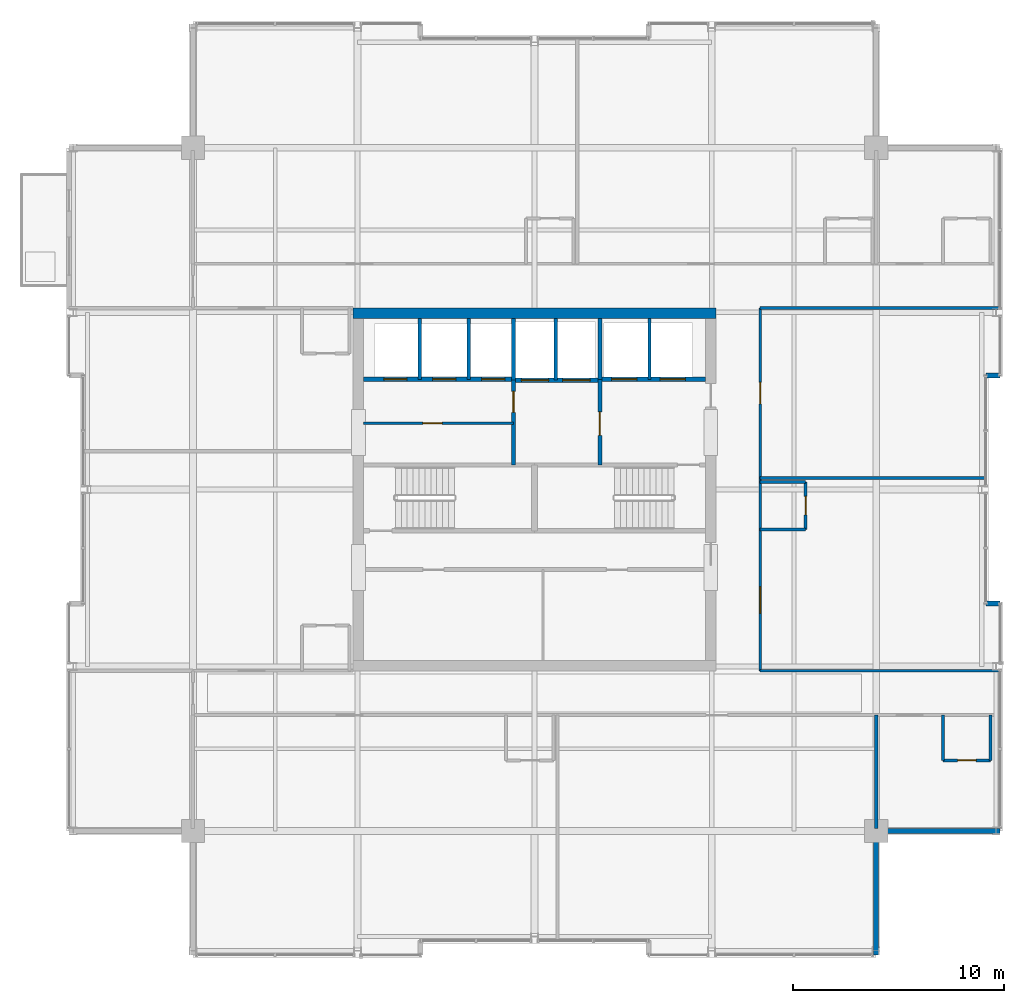
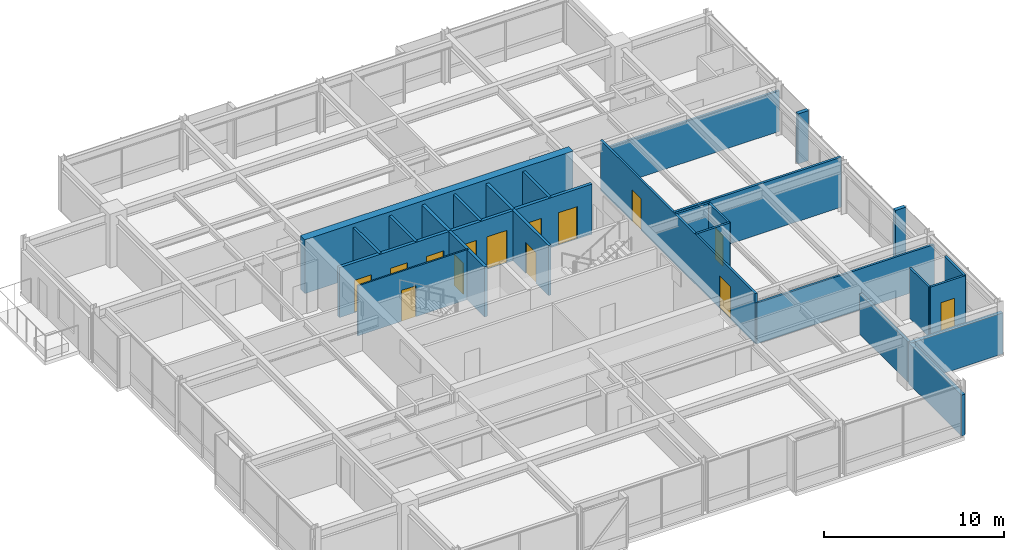
# One storey, part 29 of 33: 28 walls, 14 doors, 14 openings.
"""IFC4 building model written with IfcOpenShell, lengths in metres."""

from ifc_helpers import new_model, si_unit, direction, frame, frame_2d, origin, place, context, subcontext, project, spatial, rectangle, extrude, material, layer, layer_set, type_object, element, fill, save


model = new_model("IFC4")

# Units and contexts
model_context = context("Model", 3, precision=1e-05, world=origin(), true_north=direction((0.0, 1.0)))
body_context = subcontext(model_context, "Body", "Model", "MODEL_VIEW")
ifc_project = project(units=[si_unit("LENGTHUNIT", "METRE"), si_unit("AREAUNIT", "SQUARE_METRE"), si_unit("VOLUMEUNIT", "CUBIC_METRE"), si_unit("PLANEANGLEUNIT", "RADIAN"), si_unit("MASSUNIT", "GRAM", prefix="KILO")], contexts=[model_context])

# Site, building, storey
site_placement = place(None, origin())
site = spatial("IfcSite", under=ifc_project, at=site_placement, CompositionType="ELEMENT")
building_placement = place(site_placement, origin())
building = spatial("IfcBuilding", under=site, at=building_placement, Name="Drelvath Grand Hotel", CompositionType="ELEMENT")
storey_placement = place(building_placement, frame((0.0, 0.0, 283.25)))
storey = spatial("IfcBuildingStorey", under=building, at=storey_placement, Name="L74", CompositionType="ELEMENT", Elevation=283.25)

# Wall, opening, door
ifc_material_1 = material(Name="Gypsum Partition Board")
ifc_layer_1 = layer(ifc_material_1, 0.10009765625)
ifc_layer_set_1 = layer_set([ifc_layer_1], Name="Gypsum Partition Board")
wall_type_1 = type_object("IfcWallType", Name="Core Closet Partition 100", PredefinedType="PARTITIONING", material=ifc_layer_set_1)
wall_1_placement = place(storey_placement, frame((-8.10009765625, 30.139892578125, 0.0), z_axis=(0.0, 0.0, 1.0), x_axis=(1.0, 0.0, 0.0)))
wall_1 = element("IfcWall", 1, at=wall_1_placement, inside=storey, type_object=wall_type_1, Name="L74 High-Rise Lobby Closet Wall", PredefinedType="PARTITIONING", context=body_context, shape_type="SweptSolid", body=[
    extrude(rectangle(XDim=7.10009765625, YDim=0.10009765625, at=frame_2d((3.550048828125, 0.0))), origin(), (0.0, 0.0, 1.0), 3.389892578125),
])
opening_1_placement = place(wall_1_placement, frame((2.800048828125, 0.0, 0.0)))
opening_1 = element("IfcOpeningElement", 2, at=opening_1_placement, cuts=wall_1, Name="Opening D-T5G2-013", PredefinedType="OPENING", context=body_context, shape_type="SweptSolid", body=[
    extrude(rectangle(XDim=0.919921875, YDim=2.10009765625, at=frame_2d((0.4599609375, 1.050048828125))), frame((0.0, 0.06005859375, 0.0), z_axis=(0.0, -1.0, 0.0), x_axis=(1.0, 0.0, 0.0)), (0.0, 0.0, 1.0), 0.1201171875),
])
ifc_material_2 = material(Name="Painted Steel S275", Category="steel")
door_type_1 = type_object("IfcDoorType", Name="Staff Utility Door 920x2100", OperationType="NOTDEFINED", PredefinedType="DOOR", material=ifc_material_2)
door_1_placement = place(opening_1_placement, origin())
door_1 = element("IfcDoor", 3, at=door_1_placement, inside=storey, type_object=door_type_1, Name="L74 Core Telecom Door", OperationType="SINGLE_SWING_RIGHT", OverallHeight=2.10009765625, OverallWidth=0.919921875, PredefinedType="DOOR", context=body_context, shape_type="SweptSolid", body=[
    extrude(rectangle(XDim=0.919921875, YDim=2.10009765625, at=frame_2d((0.4599609375, 1.050048828125))), frame((0.0, 0.02490234375, 0.0), z_axis=(0.0, -1.0, 0.0), x_axis=(1.0, 0.0, 0.0)), (0.0, 0.0, 1.0), 0.050048828125),
])
fill(opening_1, door_1)

# Wall, openings, doors
ifc_material_3 = material(Name="Concrete C40/50", Category="concrete")
ifc_layer_2 = layer(ifc_material_3, 0.199951171875)
ifc_layer_set_2 = layer_set([ifc_layer_2], Name="Concrete C40/50")
wall_type_2 = type_object("IfcWallType", Name="Core Hoistway Fire Wall 200", PredefinedType="SOLIDWALL", material=ifc_layer_set_2)
wall_2_placement = place(storey_placement, frame((3.10009765625, 32.219970703125, 0.0), z_axis=(0.0, 0.0, 1.0), x_axis=(1.0, 0.0, 0.0)))
wall_2 = element("IfcWall", 4, at=wall_2_placement, inside=storey, type_object=wall_type_2, Name="L74 FSAE Hoistway Front Wall", PredefinedType="SOLIDWALL", context=body_context, shape_type="SweptSolid", body=[
    extrude(rectangle(XDim=5.0, YDim=0.199951171875, at=frame_2d((2.5, 0.0))), origin(), (0.0, 0.0, 1.0), 3.389892578125),
])
opening_2_placement = place(wall_2_placement, frame((0.550048828125, 0.0, 0.0)))
opening_2 = element("IfcOpeningElement", 5, at=opening_2_placement, cuts=wall_2, Name="Opening LD-FSAE-1", PredefinedType="OPENING", context=body_context, shape_type="SweptSolid", body=[
    extrude(rectangle(XDim=1.199951171875, YDim=2.199951171875, at=frame_2d((0.60009765625, 1.10009765625))), frame((0.0, 0.10986328125, 0.0), z_axis=(0.0, -1.0, 0.0), x_axis=(1.0, 0.0, 0.0)), (0.0, 0.0, 1.0), 0.219970703125),
])
opening_3_placement = place(wall_2_placement, frame((2.85009765625, 0.0, 0.0)))
opening_3 = element("IfcOpeningElement", 6, at=opening_3_placement, cuts=wall_2, Name="Opening LD-FSAE-2", PredefinedType="OPENING", context=body_context, shape_type="SweptSolid", body=[
    extrude(rectangle(XDim=1.199951171875, YDim=2.199951171875, at=frame_2d((0.60009765625, 1.10009765625))), frame((0.0, 0.10986328125, 0.0), z_axis=(0.0, -1.0, 0.0), x_axis=(1.0, 0.0, 0.0)), (0.0, 0.0, 1.0), 0.219970703125),
])
ifc_material_4 = material(Name="Stainless Steel S355", Category="steel")
door_type_2 = type_object("IfcDoorType", Name="FSAE Lift Sliding Landing Door 1200x2200", OperationType="NOTDEFINED", PredefinedType="DOOR", material=ifc_material_4)
door_2_placement = place(opening_2_placement, origin())
door_2 = element("IfcDoor", 7, at=door_2_placement, inside=storey, type_object=door_type_2, Name="L74 Lift FSAE-1 Landing Door", OperationType="SLIDING_TO_LEFT", OverallHeight=2.199951171875, OverallWidth=1.199951171875, PredefinedType="DOOR", context=body_context, shape_type="SweptSolid", body=[
    extrude(rectangle(XDim=1.199951171875, YDim=2.199951171875, at=frame_2d((0.60009765625, 1.10009765625))), frame((0.0, 0.02490234375, 0.0), z_axis=(0.0, -1.0, 0.0), x_axis=(1.0, 0.0, 0.0)), (0.0, 0.0, 1.0), 0.050048828125),
])
fill(opening_2, door_2)
door_3_placement = place(opening_3_placement, origin())
door_3 = element("IfcDoor", 8, at=door_3_placement, inside=storey, type_object=door_type_2, Name="L74 Lift FSAE-2 Landing Door", OperationType="SLIDING_TO_LEFT", OverallHeight=2.199951171875, OverallWidth=1.199951171875, PredefinedType="DOOR", context=body_context, shape_type="SweptSolid", body=[
    extrude(rectangle(XDim=1.199951171875, YDim=2.199951171875, at=frame_2d((0.60009765625, 1.10009765625))), frame((0.0, 0.02490234375, 0.0), z_axis=(0.0, -1.0, 0.0), x_axis=(1.0, 0.0, 0.0)), (0.0, 0.0, 1.0), 0.050048828125),
])
fill(opening_3, door_3)

# Wall
wall_3_placement = place(storey_placement, frame((3.10009765625, 32.219970703125, 0.0), z_axis=(0.0, 0.0, 1.0), x_axis=(0.0, 1.0, 0.0)))
element("IfcWall", 9, at=wall_3_placement, inside=storey, type_object=wall_type_2, Name="L74 FSAE Hoistway West Wall", PredefinedType="SOLIDWALL", context=body_context, shape_type="SweptSolid", body=[
    extrude(rectangle(XDim=2.880126953125, YDim=0.199951171875, at=frame_2d((1.43994140625, 0.0))), origin(), (0.0, 0.0, 1.0), 3.389892578125),
])

# Wall, openings, doors
wall_4_placement = place(storey_placement, frame((-1.0, 32.179931640625, 0.0), z_axis=(0.0, 0.0, 1.0), x_axis=(1.0, 0.0, 0.0)))
wall_4 = element("IfcWall", 10, at=wall_4_placement, inside=storey, type_object=wall_type_2, Name="L74 Service Lift Hoistway Wall", PredefinedType="SOLIDWALL", context=body_context, shape_type="SweptSolid", body=[
    extrude(rectangle(XDim=4.10009765625, YDim=0.199951171875, at=frame_2d((2.050048828125, 0.0))), origin(), (0.0, 0.0, 1.0), 3.389892578125),
])
opening_4_placement = place(wall_4_placement, frame((0.3701171875, 0.0, 0.0)))
opening_4 = element("IfcOpeningElement", 11, at=opening_4_placement, cuts=wall_4, Name="Opening LD-SV-2", PredefinedType="OPENING", context=body_context, shape_type="SweptSolid", body=[
    extrude(rectangle(XDim=1.300048828125, YDim=2.199951171875, at=frame_2d((0.64990234375, 1.10009765625))), frame((0.0, 0.10986328125, 0.0), z_axis=(0.0, -1.0, 0.0), x_axis=(1.0, 0.0, 0.0)), (0.0, 0.0, 1.0), 0.219970703125),
])
opening_5_placement = place(wall_4_placement, frame((2.330078125, 0.0, 0.0)))
opening_5 = element("IfcOpeningElement", 12, at=opening_5_placement, cuts=wall_4, Name="Opening LD-SV-1", PredefinedType="OPENING", context=body_context, shape_type="SweptSolid", body=[
    extrude(rectangle(XDim=1.300048828125, YDim=2.199951171875, at=frame_2d((0.64990234375, 1.10009765625))), frame((0.0, 0.10986328125, 0.0), z_axis=(0.0, -1.0, 0.0), x_axis=(1.0, 0.0, 0.0)), (0.0, 0.0, 1.0), 0.219970703125),
])
door_type_3 = type_object("IfcDoorType", Name="Service Lift Sliding Landing Door 1300x2200", OperationType="NOTDEFINED", PredefinedType="DOOR", material=ifc_material_4)
door_4_placement = place(opening_4_placement, origin())
door_4 = element("IfcDoor", 13, at=door_4_placement, inside=storey, type_object=door_type_3, Name="L74 Lift SV-2 Landing Door", OperationType="SLIDING_TO_LEFT", OverallHeight=2.199951171875, OverallWidth=1.300048828125, PredefinedType="DOOR", context=body_context, shape_type="SweptSolid", body=[
    extrude(rectangle(XDim=1.300048828125, YDim=2.199951171875, at=frame_2d((0.64990234375, 1.10009765625))), frame((0.0, 0.02490234375, 0.0), z_axis=(0.0, -1.0, 0.0), x_axis=(1.0, 0.0, 0.0)), (0.0, 0.0, 1.0), 0.050048828125),
])
fill(opening_4, door_4)
door_5_placement = place(opening_5_placement, origin())
door_5 = element("IfcDoor", 14, at=door_5_placement, inside=storey, type_object=door_type_3, Name="L74 Lift SV-1 Landing Door", OperationType="SLIDING_TO_LEFT", OverallHeight=2.199951171875, OverallWidth=1.300048828125, PredefinedType="DOOR", context=body_context, shape_type="SweptSolid", body=[
    extrude(rectangle(XDim=1.300048828125, YDim=2.199951171875, at=frame_2d((0.64990234375, 1.10009765625))), frame((0.0, 0.02490234375, 0.0), z_axis=(0.0, -1.0, 0.0), x_axis=(1.0, 0.0, 0.0)), (0.0, 0.0, 1.0), 0.050048828125),
])
fill(opening_5, door_5)

# Wall
wall_5_placement = place(storey_placement, frame((-1.0, 32.179931640625, 0.0), z_axis=(0.0, 0.0, 1.0), x_axis=(0.0, 1.0, 0.0)))
element("IfcWall", 15, at=wall_5_placement, inside=storey, type_object=wall_type_2, Name="L74 Service Lift West Wall", PredefinedType="SOLIDWALL", context=body_context, shape_type="SweptSolid", body=[
    extrude(rectangle(XDim=2.920166015625, YDim=0.199951171875, at=frame_2d((1.4599609375, 0.0))), origin(), (0.0, 0.0, 1.0), 3.389892578125),
])

# Wall, openings, doors
wall_6_placement = place(storey_placement, frame((-8.10009765625, 32.219970703125, 0.0), z_axis=(0.0, 0.0, 1.0), x_axis=(1.0, 0.0, 0.0)))
wall_6 = element("IfcWall", 16, at=wall_6_placement, inside=storey, type_object=wall_type_2, Name="L74 Bank 3 Hoistway Wall", PredefinedType="SOLIDWALL", context=body_context, shape_type="SweptSolid", body=[
    extrude(rectangle(XDim=7.10009765625, YDim=0.199951171875, at=frame_2d((3.550048828125, 0.0))), origin(), (0.0, 0.0, 1.0), 3.389892578125),
])
opening_6_placement = place(wall_6_placement, frame((0.949951171875, 0.0, 0.0)))
opening_6 = element("IfcOpeningElement", 17, at=opening_6_placement, cuts=wall_6, Name="Opening LD-PE-7", PredefinedType="OPENING", context=body_context, shape_type="SweptSolid", body=[
    extrude(rectangle(XDim=1.10009765625, YDim=2.199951171875, at=frame_2d((0.550048828125, 1.10009765625))), frame((0.0, 0.10986328125, 0.0), z_axis=(0.0, -1.0, 0.0), x_axis=(1.0, 0.0, 0.0)), (0.0, 0.0, 1.0), 0.219970703125),
])
opening_7_placement = place(wall_6_placement, frame((3.27001953125, 0.0, 0.0)))
opening_7 = element("IfcOpeningElement", 18, at=opening_7_placement, cuts=wall_6, Name="Opening LD-PE-8", PredefinedType="OPENING", context=body_context, shape_type="SweptSolid", body=[
    extrude(rectangle(XDim=1.10009765625, YDim=2.199951171875, at=frame_2d((0.550048828125, 1.10009765625))), frame((0.0, 0.10986328125, 0.0), z_axis=(0.0, -1.0, 0.0), x_axis=(1.0, 0.0, 0.0)), (0.0, 0.0, 1.0), 0.219970703125),
])
opening_8_placement = place(wall_6_placement, frame((5.590087890625, 0.0, 0.0)))
opening_8 = element("IfcOpeningElement", 19, at=opening_8_placement, cuts=wall_6, Name="Opening LD-PE-9", PredefinedType="OPENING", context=body_context, shape_type="SweptSolid", body=[
    extrude(rectangle(XDim=1.10009765625, YDim=2.199951171875, at=frame_2d((0.550048828125, 1.10009765625))), frame((0.0, 0.10986328125, 0.0), z_axis=(0.0, -1.0, 0.0), x_axis=(1.0, 0.0, 0.0)), (0.0, 0.0, 1.0), 0.219970703125),
])
door_type_4 = type_object("IfcDoorType", Name="Passenger Lift Sliding Landing Door 1100x2200", OperationType="NOTDEFINED", PredefinedType="DOOR", material=ifc_material_4)
door_6_placement = place(opening_6_placement, origin())
door_6 = element("IfcDoor", 20, at=door_6_placement, inside=storey, type_object=door_type_4, Name="L74 Lift PE-7 Landing Door", OperationType="SLIDING_TO_LEFT", OverallHeight=2.199951171875, OverallWidth=1.10009765625, PredefinedType="DOOR", context=body_context, shape_type="SweptSolid", body=[
    extrude(rectangle(XDim=1.10009765625, YDim=2.199951171875, at=frame_2d((0.550048828125, 1.10009765625))), frame((0.0, 0.02490234375, 0.0), z_axis=(0.0, -1.0, 0.0), x_axis=(1.0, 0.0, 0.0)), (0.0, 0.0, 1.0), 0.050048828125),
])
fill(opening_6, door_6)
door_7_placement = place(opening_7_placement, origin())
door_7 = element("IfcDoor", 21, at=door_7_placement, inside=storey, type_object=door_type_4, Name="L74 Lift PE-8 Landing Door", OperationType="SLIDING_TO_LEFT", OverallHeight=2.199951171875, OverallWidth=1.10009765625, PredefinedType="DOOR", context=body_context, shape_type="SweptSolid", body=[
    extrude(rectangle(XDim=1.10009765625, YDim=2.199951171875, at=frame_2d((0.550048828125, 1.10009765625))), frame((0.0, 0.02490234375, 0.0), z_axis=(0.0, -1.0, 0.0), x_axis=(1.0, 0.0, 0.0)), (0.0, 0.0, 1.0), 0.050048828125),
])
fill(opening_7, door_7)
door_8_placement = place(opening_8_placement, origin())
door_8 = element("IfcDoor", 22, at=door_8_placement, inside=storey, type_object=door_type_4, Name="L74 Lift PE-9 Landing Door", OperationType="SLIDING_TO_LEFT", OverallHeight=2.199951171875, OverallWidth=1.10009765625, PredefinedType="DOOR", context=body_context, shape_type="SweptSolid", body=[
    extrude(rectangle(XDim=1.10009765625, YDim=2.199951171875, at=frame_2d((0.550048828125, 1.10009765625))), frame((0.0, 0.02490234375, 0.0), z_axis=(0.0, -1.0, 0.0), x_axis=(1.0, 0.0, 0.0)), (0.0, 0.0, 1.0), 0.050048828125),
])
fill(opening_8, door_8)

# Walls
ifc_material_5 = material(Name="Gypsum Fireboard Partition")
ifc_layer_3 = layer(ifc_material_5, 0.1650390625)
ifc_layer_set_3 = layer_set([ifc_layer_3], Name="Gypsum Fireboard Partition")
wall_type_3 = type_object("IfcWallType", Name="Core Shaft Partition 165", PredefinedType="PARTITIONING", material=ifc_layer_set_3)
wall_7_placement = place(storey_placement, frame((5.449951171875, 32.219970703125, 0.0), z_axis=(0.0, 0.0, 1.0), x_axis=(0.0, 1.0, 0.0)))
element("IfcWall", 23, at=wall_7_placement, inside=storey, type_object=wall_type_3, Name="L74 FSAE Hoistway Divider", PredefinedType="PARTITIONING", context=body_context, shape_type="SweptSolid", body=[
    extrude(rectangle(XDim=2.880126953125, YDim=0.1650390625, at=frame_2d((1.43994140625, 0.0))), origin(), (0.0, 0.0, 1.0), 3.389892578125),
])
wall_8_placement = place(storey_placement, frame((1.0, 32.179931640625, 0.0), z_axis=(0.0, 0.0, 1.0), x_axis=(0.0, 1.0, 0.0)))
element("IfcWall", 24, at=wall_8_placement, inside=storey, type_object=wall_type_3, Name="L74 Service Lift Divider", PredefinedType="PARTITIONING", context=body_context, shape_type="SweptSolid", body=[
    extrude(rectangle(XDim=2.920166015625, YDim=0.1650390625, at=frame_2d((1.4599609375, 0.0))), origin(), (0.0, 0.0, 1.0), 3.389892578125),
])
for number, where, z_axis, x_axis, name in (
    (25, (-5.43994140625, 32.219970703125, 0.0), (0.0, 0.0, 1.0), (0.0, 1.0, 0.0), "L74 Lift PE-7/8 Divider"),
    (26, (-3.1201171875, 32.219970703125, 0.0), (0.0, 0.0, 1.0), (0.0, 1.0, 0.0), "L74 Lift PE-8/9 Divider"),
):
    element("IfcWall", number, at=place(storey_placement, frame(where, z_axis=z_axis, x_axis=x_axis)), inside=storey, type_object=wall_type_3, Name=name, PredefinedType="PARTITIONING", context=body_context, shape_type="SweptSolid", body=[
        extrude(rectangle(XDim=2.880126953125, YDim=0.1650390625, at=frame_2d((1.43994140625, 0.0))), origin(), (0.0, 0.0, 1.0), 3.389892578125),
    ])
ifc_layer_4 = layer(ifc_material_5, 0.135009765625)
ifc_layer_set_4 = layer_set([ifc_layer_4], Name="Gypsum Fireboard Partition")
wall_type_4 = type_object("IfcWallType", Name="Corridor Fire Barrier Wall 135", PredefinedType="PARTITIONING", material=ifc_layer_set_4)
for number, where, z_axis, x_axis, name in (
    (27, (10.699951171875, 18.39990234375, 0.0), (0.0, 0.0, 1.0), (1.0, 0.0, 0.0), "L74 South Gallery Inner East Wall"),
    (28, (10.699951171875, 35.60009765625, 0.0), (0.0, 0.0, 1.0), (1.0, 0.0, 0.0), "L74 North Gallery Inner East Wall"),
):
    element("IfcWall", number, at=place(storey_placement, frame(where, z_axis=z_axis, x_axis=x_axis)), inside=storey, type_object=wall_type_4, Name=name, PredefinedType="PARTITIONING", context=body_context, shape_type="SweptSolid", body=[
        extrude(rectangle(XDim=11.380126953125, YDim=0.135009765625, at=frame_2d((5.68994140625, 0.0))), origin(), (0.0, 0.0, 1.0), 2.767333984375),
    ])

# Wall, openings, doors
wall_9_placement = place(storey_placement, frame((10.699951171875, 18.39990234375, 0.0), z_axis=(0.0, 0.0, 1.0), x_axis=(0.0, 1.0, 0.0)))
wall_9 = element("IfcWall", 29, at=wall_9_placement, inside=storey, type_object=wall_type_4, Name="L74 East Gallery Link Wall", PredefinedType="PARTITIONING", context=body_context, shape_type="SweptSolid", body=[
    extrude(rectangle(XDim=17.2001953125, YDim=0.135009765625, at=frame_2d((8.60009765625, 0.0))), origin(), (0.0, 0.0, 1.0), 3.389892578125),
])
opening_9_placement = place(wall_9_placement, frame((2.723876953125, 0.0, 0.0)))
opening_9 = element("IfcOpeningElement", 30, at=opening_9_placement, cuts=wall_9, Name="Opening D-T5G2-031", PredefinedType="OPENING", context=body_context, shape_type="SweptSolid", body=[
    extrude(rectangle(XDim=1.260009765625, YDim=2.199951171875, at=frame_2d((0.6298828125, 1.10009765625))), frame((0.0, 0.077392578125, 0.0), z_axis=(0.0, -1.0, 0.0), x_axis=(1.0, 0.0, 0.0)), (0.0, 0.0, 1.0), 0.155029296875),
])
opening_10_placement = place(wall_9_placement, frame((12.65869140625, 0.0, 0.0)))
opening_10 = element("IfcOpeningElement", 31, at=opening_10_placement, cuts=wall_9, Name="Opening D-T5G2-032", PredefinedType="OPENING", context=body_context, shape_type="SweptSolid", body=[
    extrude(rectangle(XDim=1.02001953125, YDim=2.14990234375, at=frame_2d((0.510009765625, 1.074951171875))), frame((0.0, 0.077392578125, 0.0), z_axis=(0.0, -1.0, 0.0), x_axis=(1.0, 0.0, 0.0)), (0.0, 0.0, 1.0), 0.155029296875),
])
ifc_material_6 = material(Name="Hardwood Walnut Timber", Category="wood")
door_type_5 = type_object("IfcDoorType", Name="Amenity Meeting Fire Door 1020x2150", OperationType="NOTDEFINED", PredefinedType="DOOR", material=ifc_material_6)
door_9_placement = place(opening_10_placement, origin())
door_9 = element("IfcDoor", 32, at=door_9_placement, inside=storey, type_object=door_type_5, Name="L74 Curated Library Study Entry Door", OperationType="SINGLE_SWING_LEFT", OverallHeight=2.14990234375, OverallWidth=1.02001953125, PredefinedType="DOOR", context=body_context, shape_type="SweptSolid", body=[
    extrude(rectangle(XDim=1.02001953125, YDim=2.14990234375, at=frame_2d((0.510009765625, 1.074951171875))), frame((0.0, 0.02490234375, 0.0), z_axis=(0.0, -1.0, 0.0), x_axis=(1.0, 0.0, 0.0)), (0.0, 0.0, 1.0), 0.050048828125),
])
fill(opening_10, door_9)
door_type_6 = type_object("IfcDoorType", Name="Suite Entrance Fire Door 1260x2200", OperationType="NOTDEFINED", PredefinedType="DOOR", material=ifc_material_6)
door_10_placement = place(opening_9_placement, origin())
door_10 = element("IfcDoor", 33, at=door_10_placement, inside=storey, type_object=door_type_6, Name="L74 Royal Suite Entry Door", OperationType="SINGLE_SWING_RIGHT", OverallHeight=2.199951171875, OverallWidth=1.260009765625, PredefinedType="DOOR", context=body_context, shape_type="SweptSolid", body=[
    extrude(rectangle(XDim=1.260009765625, YDim=2.199951171875, at=frame_2d((0.6298828125, 1.10009765625))), frame((0.0, 0.02490234375, 0.0), z_axis=(0.0, -1.0, 0.0), x_axis=(1.0, 0.0, 0.0)), (0.0, 0.0, 1.0), 0.050048828125),
])
fill(opening_9, door_10)

# Walls
ifc_material_7 = material(Name="Moisture-Resistant Gypsum Board")
ifc_layer_5 = layer(ifc_material_7, 0.139892578125)
ifc_layer_set_5 = layer_set([ifc_layer_5], Name="Moisture-Resistant Gypsum Board")
wall_type_5 = type_object("IfcWallType", Name="En-Suite Plumbing Wall 140", PredefinedType="PLUMBINGWALL", material=ifc_layer_set_5)
for number, where, z_axis, x_axis, name in (
    (34, (19.3701171875, 16.300048828125, 0.0), (0.0, 0.0, 1.0), (0.0, -1.0, 0.0), "L74 En-Suite Left Wall"),
    (35, (21.6201171875, 16.300048828125, 0.0), (0.0, 0.0, 1.0), (0.0, -1.0, 0.0), "L74 En-Suite Right Wall"),
):
    element("IfcWall", number, at=place(storey_placement, frame(where, z_axis=z_axis, x_axis=x_axis)), inside=storey, type_object=wall_type_5, Name=name, PredefinedType="PLUMBINGWALL", context=body_context, shape_type="SweptSolid", body=[
        extrude(rectangle(XDim=2.150146484375, YDim=0.139892578125, at=frame_2d((1.0751953125, 0.0))), origin(), (0.0, 0.0, 1.0), 3.389892578125),
    ])

# Wall, opening, door
wall_10_placement = place(storey_placement, frame((19.3701171875, 14.14990234375, 0.0), z_axis=(0.0, 0.0, 1.0), x_axis=(1.0, 0.0, 0.0)))
wall_10 = element("IfcWall", 36, at=wall_10_placement, inside=storey, type_object=wall_type_5, Name="L74 En-Suite Front Wall", PredefinedType="PLUMBINGWALL", context=body_context, shape_type="SweptSolid", body=[
    extrude(rectangle(XDim=2.25, YDim=0.139892578125, at=frame_2d((1.125, 0.0))), origin(), (0.0, 0.0, 1.0), 3.389892578125),
])
opening_11_placement = place(wall_10_placement, frame((0.68505859375, 0.0, 0.0)))
opening_11 = element("IfcOpeningElement", 37, at=opening_11_placement, cuts=wall_10, Name="Opening D-T5G2-019", PredefinedType="OPENING", context=body_context, shape_type="SweptSolid", body=[
    extrude(rectangle(XDim=0.8798828125, YDim=2.10009765625, at=frame_2d((0.43994140625, 1.050048828125))), frame((0.0, 0.079833984375, 0.0), z_axis=(0.0, -1.0, 0.0), x_axis=(1.0, 0.0, 0.0)), (0.0, 0.0, 1.0), 0.159912109375),
])
door_type_7 = type_object("IfcDoorType", Name="En-Suite Bathroom Door 880x2100", OperationType="NOTDEFINED", PredefinedType="DOOR", material=ifc_material_6)
door_11_placement = place(opening_11_placement, origin())
door_11 = element("IfcDoor", 38, at=door_11_placement, inside=storey, type_object=door_type_7, Name="L74 En-Suite Bathroom Door", OperationType="SINGLE_SWING_RIGHT", OverallHeight=2.10009765625, OverallWidth=0.8798828125, PredefinedType="DOOR", context=body_context, shape_type="SweptSolid", body=[
    extrude(rectangle(XDim=0.8798828125, YDim=2.10009765625, at=frame_2d((0.43994140625, 1.050048828125))), frame((0.0, 0.02490234375, 0.0), z_axis=(0.0, -1.0, 0.0), x_axis=(1.0, 0.0, 0.0)), (0.0, 0.0, 1.0), 0.050048828125),
])
fill(opening_11, door_11)

# Walls
for number, where, z_axis, x_axis, name in (
    (39, (10.699951171875, 25.107421875, 0.0), (0.0, 0.0, 1.0), (1.0, 0.0, 0.0), "L74 En-Suite Left Wall"),
    (40, (10.699951171875, 27.357421875, 0.0), (0.0, 0.0, 1.0), (1.0, 0.0, 0.0), "L74 En-Suite Right Wall"),
):
    element("IfcWall", number, at=place(storey_placement, frame(where, z_axis=z_axis, x_axis=x_axis)), inside=storey, type_object=wall_type_5, Name=name, PredefinedType="PLUMBINGWALL", context=body_context, shape_type="SweptSolid", body=[
        extrude(rectangle(XDim=2.150146484375, YDim=0.139892578125, at=frame_2d((1.0751953125, 0.0))), origin(), (0.0, 0.0, 1.0), 3.389892578125),
    ])

# Wall, opening, door
wall_11_placement = place(storey_placement, frame((12.85009765625, 25.107421875, 0.0), z_axis=(0.0, 0.0, 1.0), x_axis=(0.0, 1.0, 0.0)))
wall_11 = element("IfcWall", 41, at=wall_11_placement, inside=storey, type_object=wall_type_5, Name="L74 En-Suite Front Wall", PredefinedType="PLUMBINGWALL", context=body_context, shape_type="SweptSolid", body=[
    extrude(rectangle(XDim=2.25, YDim=0.139892578125, at=frame_2d((1.125, 0.0))), origin(), (0.0, 0.0, 1.0), 3.389892578125),
])
opening_12_placement = place(wall_11_placement, frame((0.68505859375, 0.0, 0.0)))
opening_12 = element("IfcOpeningElement", 42, at=opening_12_placement, cuts=wall_11, Name="Opening D-T5G2-030", PredefinedType="OPENING", context=body_context, shape_type="SweptSolid", body=[
    extrude(rectangle(XDim=0.8798828125, YDim=2.10009765625, at=frame_2d((0.43994140625, 1.050048828125))), frame((0.0, 0.079833984375, 0.0), z_axis=(0.0, -1.0, 0.0), x_axis=(1.0, 0.0, 0.0)), (0.0, 0.0, 1.0), 0.159912109375),
])
door_12_placement = place(opening_12_placement, origin())
door_12 = element("IfcDoor", 43, at=door_12_placement, inside=storey, type_object=door_type_7, Name="L74 En-Suite Bathroom Door", OperationType="SINGLE_SWING_LEFT", OverallHeight=2.10009765625, OverallWidth=0.8798828125, PredefinedType="DOOR", context=body_context, shape_type="SweptSolid", body=[
    extrude(rectangle(XDim=0.8798828125, YDim=2.10009765625, at=frame_2d((0.43994140625, 1.050048828125))), frame((0.0, 0.02490234375, 0.0), z_axis=(0.0, -1.0, 0.0), x_axis=(1.0, 0.0, 0.0)), (0.0, 0.0, 1.0), 0.050048828125),
])
fill(opening_12, door_12)

ifc_layer_6 = layer(ifc_material_5, 0.179931640625)
ifc_layer_set_6 = layer_set([ifc_layer_6], Name="Gypsum Fireboard Partition")
wall_type_6 = type_object("IfcWallType", Name="FSAE Smoke Lobby Fire Wall 180", PredefinedType="SOLIDWALL", material=ifc_layer_set_6)
wall_12_placement = place(storey_placement, frame((3.10009765625, 28.159912109375, 0.0), z_axis=(0.0, 0.0, 1.0), x_axis=(0.0, 1.0, 0.0)))
wall_12 = element("IfcWall", 44, at=wall_12_placement, inside=storey, type_object=wall_type_6, Name="L74 FSAE Smoke Lobby West Wall", PredefinedType="SOLIDWALL", context=body_context, shape_type="SweptSolid", body=[
    extrude(rectangle(XDim=4.06005859375, YDim=0.179931640625, at=frame_2d((2.030029296875, 0.0))), origin(), (0.0, 0.0, 1.0), 3.389892578125),
])
opening_13_placement = place(wall_12_placement, frame((1.39990234375, 0.0, 0.0)))
opening_13 = element("IfcOpeningElement", 45, at=opening_13_placement, cuts=wall_12, Name="Opening D-T5G2-005", PredefinedType="OPENING", context=body_context, shape_type="SweptSolid", body=[
    extrude(rectangle(XDim=1.1201171875, YDim=2.10009765625, at=frame_2d((0.56005859375, 1.050048828125))), frame((0.0, 0.099853515625, 0.0), z_axis=(0.0, -1.0, 0.0), x_axis=(1.0, 0.0, 0.0)), (0.0, 0.0, 1.0), 0.199951171875),
])
door_type_8 = type_object("IfcDoorType", Name="FSAE Smoke Lobby Fire Door 1120x2100", OperationType="NOTDEFINED", PredefinedType="DOOR", material=ifc_material_2)
door_13_placement = place(opening_13_placement, origin())
door_13 = element("IfcDoor", 46, at=door_13_placement, inside=storey, type_object=door_type_8, Name="L74 FSAE Lobby Service Vestibule Door", OperationType="SINGLE_SWING_RIGHT", OverallHeight=2.10009765625, OverallWidth=1.1201171875, PredefinedType="DOOR", context=body_context, shape_type="SweptSolid", body=[
    extrude(rectangle(XDim=1.1201171875, YDim=2.10009765625, at=frame_2d((0.56005859375, 1.050048828125))), frame((0.0, 0.02490234375, 0.0), z_axis=(0.0, -1.0, 0.0), x_axis=(1.0, 0.0, 0.0)), (0.0, 0.0, 1.0), 0.050048828125),
])
fill(opening_13, door_13)

wall_13_placement = place(storey_placement, frame((-1.0, 28.159912109375, 0.0), z_axis=(0.0, 0.0, 1.0), x_axis=(0.0, 1.0, 0.0)))
wall_13 = element("IfcWall", 47, at=wall_13_placement, inside=storey, type_object=wall_type_6, Name="L74 Service Vestibule West Wall", PredefinedType="SOLIDWALL", context=body_context, shape_type="SweptSolid", body=[
    extrude(rectangle(XDim=4.02001953125, YDim=0.179931640625, at=frame_2d((2.010009765625, 0.0))), origin(), (0.0, 0.0, 1.0), 3.389892578125),
])
opening_14_placement = place(wall_13_placement, frame((2.489990234375, 0.0, 0.0)))
opening_14 = element("IfcOpeningElement", 48, at=opening_14_placement, cuts=wall_13, Name="Opening D-T5G2-009", PredefinedType="OPENING", context=body_context, shape_type="SweptSolid", body=[
    extrude(rectangle(XDim=1.0, YDim=2.10009765625, at=frame_2d((0.5, 1.050048828125))), frame((0.0, 0.099853515625, 0.0), z_axis=(0.0, -1.0, 0.0), x_axis=(1.0, 0.0, 0.0)), (0.0, 0.0, 1.0), 0.199951171875),
])
door_type_9 = type_object("IfcDoorType", Name="Core Service Fire Door 1000x2100", OperationType="NOTDEFINED", PredefinedType="DOOR", material=ifc_material_2)
door_14_placement = place(opening_14_placement, origin())
door_14 = element("IfcDoor", 49, at=door_14_placement, inside=storey, type_object=door_type_9, Name="L74 Service Vestibule West Door", OperationType="SINGLE_SWING_LEFT", OverallHeight=2.10009765625, OverallWidth=1.0, PredefinedType="DOOR", context=body_context, shape_type="SweptSolid", body=[
    extrude(rectangle(XDim=1.0, YDim=2.10009765625, at=frame_2d((0.5, 1.050048828125))), frame((0.0, 0.02490234375, 0.0), z_axis=(0.0, -1.0, 0.0), x_axis=(1.0, 0.0, 0.0)), (0.0, 0.0, 1.0), 0.050048828125),
])
fill(opening_14, door_14)

# Walls
ifc_material_8 = material(Name="Gypsum Acoustic Partition")
ifc_layer_7 = layer(ifc_material_8, 0.14990234375)
ifc_layer_set_7 = layer_set([ifc_layer_7], Name="Gypsum Acoustic Partition")
wall_type_7 = type_object("IfcWallType", Name="Guestroom Demising Wall 150", PredefinedType="PARTITIONING", material=ifc_layer_set_7)
wall_14_placement = place(storey_placement, frame((10.699951171875, 27.53759765625, 0.0), z_axis=(0.0, 0.0, 1.0), x_axis=(1.0, 0.0, 0.0)))
element("IfcWall", 50, at=wall_14_placement, inside=storey, type_object=wall_type_7, Name="L74 East Demising 1", PredefinedType="PARTITIONING", context=body_context, shape_type="SweptSolid", body=[
    extrude(rectangle(XDim=10.699951171875, YDim=0.14990234375, at=frame_2d((5.35009765625, 0.0))), origin(), (0.0, 0.0, 1.0), 3.389892578125),
])
ifc_layer_8 = layer(ifc_material_8, 0.1650390625)
ifc_layer_set_8 = layer_set([ifc_layer_8], Name="Gypsum Acoustic Partition")
wall_type_8 = type_object("IfcWallType", Name="Suite Demising Wall 165", PredefinedType="PARTITIONING", material=ifc_layer_set_8)
wall_15_placement = place(storey_placement, frame((16.199951171875, 10.919921875, 0.0), z_axis=(0.0, 0.0, 1.0), x_axis=(0.0, 1.0, 0.0)))
element("IfcWall", 51, at=wall_15_placement, inside=storey, type_object=wall_type_8, Name="L74 SE Suite Wall", PredefinedType="PARTITIONING", context=body_context, shape_type="SweptSolid", body=[
    extrude(rectangle(XDim=5.380126953125, YDim=0.1650390625, at=frame_2d((2.68994140625, 0.0))), origin(), (0.0, 0.0, 1.0), 2.763916015625),
])
ifc_material_9 = material(Name="Pale-Metal Insulated Aluminium Spandrel Assembly", Category="aluminium")
ifc_layer_9 = layer(ifc_material_9, 0.239990234375)
ifc_layer_set_9 = layer_set([ifc_layer_9], Name="Pale-Metal Insulated Aluminium Spandrel Assembly")
wall_type_9 = type_object("IfcWallType", Name="Tower Insulated Metal Spandrel Closure Wall 240", PredefinedType="STANDARD", material=ifc_layer_set_9)
for number, where, z_axis, x_axis, name in (
    (52, (22.080078125, 10.800048828125, 0.0), (0.0, 0.0, 1.0), (-1.0, 0.0, 0.0), "L74 Notched Corner Return Spandrel Wall CSE1"),
    (53, (16.199951171875, 10.800048828125, 0.0), (0.0, 0.0, 1.0), (0.0, -1.0, 0.0), "L74 Notched Corner Return Spandrel Wall CSE2"),
):
    element("IfcWall", number, at=place(storey_placement, frame(where, z_axis=z_axis, x_axis=x_axis)), inside=storey, type_object=wall_type_9, Name=name, PredefinedType="STANDARD", context=body_context, shape_type="SweptSolid", body=[
        extrude(rectangle(XDim=5.880126953125, YDim=0.239990234375, at=frame_2d((2.93994140625, 0.0))), origin(), (0.0, 0.0, 1.0), 2.779052734375),
    ])
for number, where, z_axis, x_axis, name in (
    (54, (22.080078125, 32.39990234375, 0.0), (0.0, 0.0, 1.0), (-1.0, 0.0, 0.0), "L74 Notched Corner Return Spandrel Wall RE1"),
    (55, (21.39990234375, 21.60009765625, 0.0), (0.0, 0.0, 1.0), (1.0, 0.0, 0.0), "L74 Notched Corner Return Spandrel Wall RE2"),
):
    element("IfcWall", number, at=place(storey_placement, frame(where, z_axis=z_axis, x_axis=x_axis)), inside=storey, type_object=wall_type_9, Name=name, PredefinedType="STANDARD", context=body_context, shape_type="SweptSolid", body=[
        extrude(rectangle(XDim=0.68017578125, YDim=0.239990234375, at=frame_2d((0.340087890625, 0.0))), origin(), (0.0, 0.0, 1.0), 3.389892578125),
    ])
ifc_material_10 = material(Name="Concrete f'c 55 MPa", Category="concrete")
ifc_layer_10 = layer(ifc_material_10, 0.5)
ifc_layer_set_10 = layer_set([ifc_layer_10], Name="Concrete f'c 55 MPa")
wall_type_10 = type_object("IfcWallType", Name="Upper Core RC Shear Wall 500", PredefinedType="SHEAR", material=ifc_layer_set_10)
wall_16_placement = place(storey_placement, frame((-8.60009765625, 35.35009765625, 0.0), z_axis=(0.0, 0.0, 1.0), x_axis=(1.0, 0.0, 0.0)))
element("IfcWall", 56, at=wall_16_placement, inside=storey, type_object=wall_type_10, Name="L74 Central Core Shear Wall N", PredefinedType="SHEAR", context=body_context, shape_type="SweptSolid", body=[
    extrude(rectangle(XDim=17.2001953125, YDim=0.5, at=frame_2d((8.60009765625, 0.0))), origin(), (0.0, 0.0, 1.0), 3.64990234375),
])

save(model, "model.ifc")
